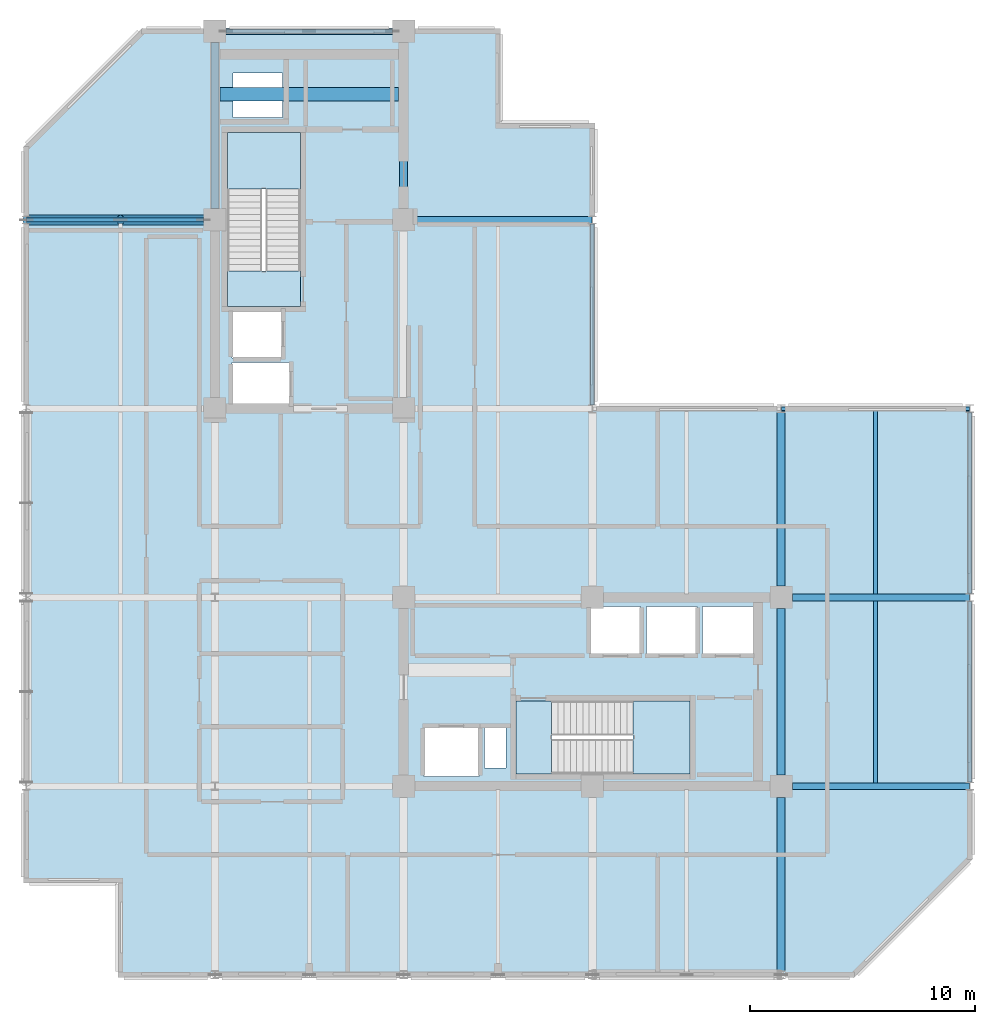
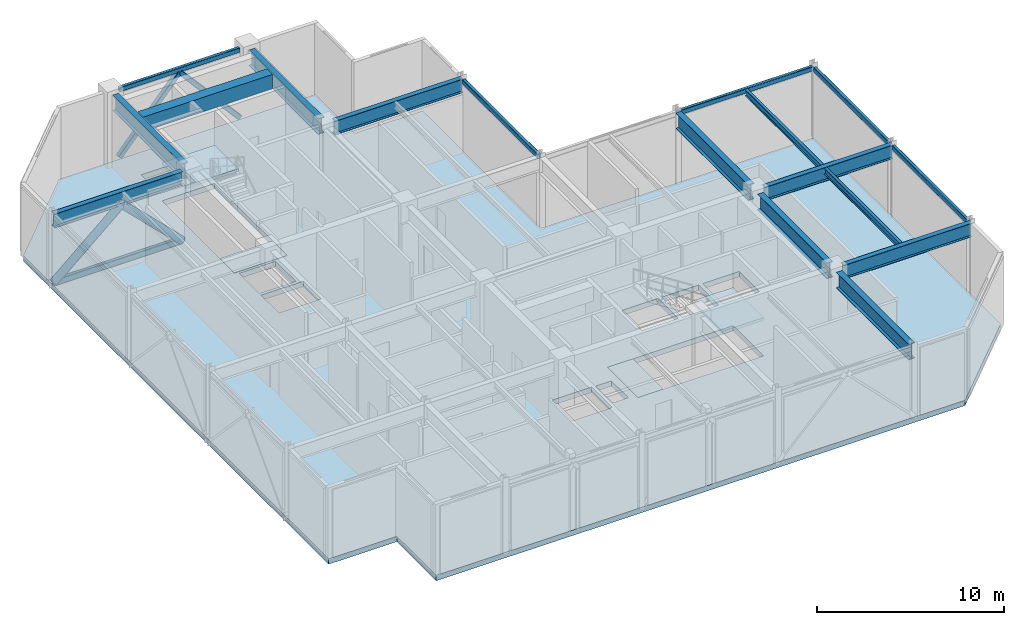
# One storey, part 2 of 10: 17 beams, 5 members, 5 slabs, 2 elements without a shape of their own.
"""IFC4 building model written with IfcOpenShell, lengths in metres."""

from ifc_helpers import new_model, si_unit, direction, frame, origin, origin_2d, place, context, subcontext, project, spatial, polyline, rectangle, hollow_rectangle, hollow_circle, i_section, outline, extrude, material, layer, layer_set, material_profile, profile_set, type_object, element, aggregate, save


model = new_model("IFC4")

# Units and contexts
model_context = context("Model", 3, precision=1e-05, world=origin(), true_north=direction((0.0, 1.0)))
body_context = subcontext(model_context, "Body", "Model", "MODEL_VIEW")
ifc_project = project(units=[si_unit("LENGTHUNIT", "METRE"), si_unit("AREAUNIT", "SQUARE_METRE"), si_unit("VOLUMEUNIT", "CUBIC_METRE"), si_unit("PLANEANGLEUNIT", "RADIAN"), si_unit("MASSUNIT", "GRAM", prefix="KILO")], contexts=[model_context])

# Site, building, storey
site_placement = place(None, origin())
site = spatial("IfcSite", under=ifc_project, at=site_placement, CompositionType="ELEMENT")
building_placement = place(site_placement, origin())
building = spatial("IfcBuilding", under=site, at=building_placement, Name="Nerrivon Quay Data Exchange", CompositionType="ELEMENT")
storey_placement = place(building_placement, frame((0.0, 0.0, 245.199951171875)))
storey = spatial("IfcBuildingStorey", under=building, at=storey_placement, Name="L58", CompositionType="ELEMENT", Elevation=245.199951171875)

# Beams
ifc_material_1 = material(Name="Concrete N50 (50 MPa)", Category="concrete")
ifc_material_profile_1 = material_profile(ifc_material_1, rectangle(XDim=0.60009765625, YDim=0.949951171875, at=origin_2d()), Name="RC-CB-600x950")
ifc_profile_set_1 = profile_set([ifc_material_profile_1], Name="Concrete N50 (50 MPa)")
beam_type_1 = type_object("IfcBeamType", Name="BM-CB2-600x950", PredefinedType="LINTEL", material=ifc_profile_set_1)
beam_1_placement = place(storey_placement, frame((8.625, 39.199951171875, 4.25), z_axis=(1.0, 0.0, 0.0), x_axis=(0.0, 1.0, 0.0)))
element("IfcBeam", 1, at=beam_1_placement, inside=storey, type_object=beam_type_1, Name="L58 West Core Coupling Beam", PredefinedType="LINTEL", context=body_context, shape_type="SweptSolid", body=[
    extrude(rectangle(XDim=0.60009765625, YDim=0.949951171875, at=origin_2d()), origin(), (0.0, 0.0, 1.0), 7.949951171875),
])
ifc_material_2 = material(Name="Steel Grade 350", Category="steel")
ifc_material_profile_2 = material_profile(ifc_material_2, i_section(OverallWidth=0.177978515625, OverallDepth=0.403076171875, WebThickness=0.007568359375, FlangeThickness=0.010986328125, FilletRadius=0.011474609375, at=origin_2d()), Name="410UB53.7")
ifc_profile_set_2 = profile_set([ifc_material_profile_2], Name="Steel Grade 350")
beam_type_2 = type_object("IfcBeamType", Name="BM-J2-410UB54", PredefinedType="JOIST", material=ifc_profile_set_2)
beam_2_placement = place(storey_placement, frame((37.800048828125, 8.550048828125, 4.5234375), z_axis=(0.0, 1.0, 0.0), x_axis=(-1.0, 0.0, 0.0)))
element("IfcBeam", 2, at=beam_2_placement, inside=storey, type_object=beam_type_2, Name="L58 Secondary Joist X=37.8 (8.4..16.8)", PredefinedType="JOIST", context=body_context, shape_type="SweptSolid", body=[
    extrude(i_section(OverallWidth=0.177978515625, OverallDepth=0.403076171875, WebThickness=0.007568359375, FlangeThickness=0.010986328125, FilletRadius=0.011474609375, at=origin_2d()), origin(), (0.0, 0.0, 1.0), 8.099853515625),
])
beam_3_placement = place(storey_placement, frame((37.800048828125, 16.949951171875, 4.5234375), z_axis=(0.0, 1.0, 0.0), x_axis=(-1.0, 0.0, 0.0)))
element("IfcBeam", 3, at=beam_3_placement, inside=storey, type_object=beam_type_2, Name="L58 Secondary Joist X=37.8 (16.8..25.2)", PredefinedType="JOIST", context=body_context, shape_type="SweptSolid", body=[
    extrude(i_section(OverallWidth=0.177978515625, OverallDepth=0.403076171875, WebThickness=0.007568359375, FlangeThickness=0.010986328125, FilletRadius=0.011474609375, at=origin_2d()), origin(), (0.0, 0.0, 1.0), 8.150146484375),
])
ifc_material_profile_3 = material_profile(ifc_material_2, i_section(OverallWidth=0.300048828125, OverallDepth=0.89990234375, WebThickness=0.011962890625, FlangeThickness=0.02001953125, at=origin_2d()), Name="900WB175")
ifc_profile_set_3 = profile_set([ifc_material_profile_3], Name="Steel Grade 350")
beam_type_3 = type_object("IfcBeamType", Name="BM-OUT-900WB175", PredefinedType="BEAM", material=ifc_profile_set_3)
for number, where, z_axis, x_axis, name in (
    (4, (34.10009765625, 8.39990234375, 4.275146484375), (1.0, 0.0, 0.0), (0.0, 1.0, 0.0), "L58 EW Girder Y=8.4 (33.6..42.0)"),
    (5, (34.10009765625, 16.800048828125, 4.275146484375), (1.0, 0.0, 0.0), (0.0, 1.0, 0.0), "L58 EW Girder Y=16.8 (33.6..42.0)"),
    (6, (0.010009765625, 33.60009765625, 4.275146484375), (1.0, 0.0, 0.0), (0.0, 1.0, 0.0), "L58 EW Girder Y=33.6 (0.0..8.4)"),
    (7, (17.300048828125, 33.60009765625, 4.275146484375), (1.0, 0.0, 0.0), (0.0, 1.0, 0.0), "L58 EW Girder Y=33.6 (16.8..25.2)"),
):
    element("IfcBeam", number, at=place(storey_placement, frame(where, z_axis=z_axis, x_axis=x_axis)), inside=storey, type_object=beam_type_3, Name=name, PredefinedType="BEAM", context=body_context, shape_type="SweptSolid", body=[
        extrude(i_section(OverallWidth=0.300048828125, OverallDepth=0.89990234375, WebThickness=0.011962890625, FlangeThickness=0.02001953125, at=origin_2d()), origin(), (0.0, 0.0, 1.0), 7.889892578125),
    ])
ifc_material_3 = material(Name="Steel Grade C350L0 (350 MPa)", Category="steel")
ifc_material_profile_4 = material_profile(ifc_material_3, hollow_rectangle(XDim=0.199951171875, YDim=0.300048828125, WallThickness=0.012451171875, InnerFilletRadius=0.018798828125, OuterFilletRadius=0.03125, at=origin_2d()), Name="300x200x12.5RHS")
ifc_profile_set_4 = profile_set([ifc_material_profile_4], Name="Steel Grade C350L0 (350 MPa)")
beam_type_4 = type_object("IfcBeamType", Name="BM-SP3-300x200RHS", PredefinedType="SPANDREL", material=ifc_profile_set_4)
beam_4_placement = place(storey_placement, frame((33.610107421875, 25.199951171875, 4.574951171875), z_axis=(1.0, 0.0, 0.0), x_axis=(0.0, 1.0, 0.0)))
element("IfcBeam", 8, at=beam_4_placement, inside=storey, type_object=beam_type_4, Name="L58 EW Girder Y=25.2 (33.6..42.0)", PredefinedType="SPANDREL", context=body_context, shape_type="SweptSolid", body=[
    extrude(hollow_rectangle(XDim=0.199951171875, YDim=0.300048828125, WallThickness=0.012451171875, InnerFilletRadius=0.018798828125, OuterFilletRadius=0.03125, at=origin_2d()), origin(), (0.0, 0.0, 1.0), 8.3798828125),
])
beam_5_placement = place(storey_placement, frame((8.89990234375, 42.0, 4.574951171875), z_axis=(1.0, 0.0, 0.0), x_axis=(0.0, 1.0, 0.0)))
element("IfcBeam", 9, at=beam_5_placement, inside=storey, type_object=beam_type_4, Name="L58 EW Girder Y=42.0 (8.4..16.8)", PredefinedType="SPANDREL", context=body_context, shape_type="SweptSolid", body=[
    extrude(hollow_rectangle(XDim=0.199951171875, YDim=0.300048828125, WallThickness=0.012451171875, InnerFilletRadius=0.018798828125, OuterFilletRadius=0.03125, at=origin_2d()), origin(), (0.0, 0.0, 1.0), 7.400146484375),
])
for number, where, z_axis, x_axis, name in (
    (10, (25.199951171875, 25.375, 4.574951171875), (0.0, 1.0, 0.0), (-1.0, 0.0, 0.0), "L58 NS Girder X=25.2 (25.2..33.6)"),
    (11, (42.0, 8.574951171875, 4.574951171875), (0.0, 1.0, 0.0), (-1.0, 0.0, 0.0), "L58 NS Girder X=42.0 (8.4..16.8)"),
):
    element("IfcBeam", number, at=place(storey_placement, frame(where, z_axis=z_axis, x_axis=x_axis)), inside=storey, type_object=beam_type_4, Name=name, PredefinedType="SPANDREL", context=body_context, shape_type="SweptSolid", body=[
        extrude(hollow_rectangle(XDim=0.199951171875, YDim=0.300048828125, WallThickness=0.012451171875, InnerFilletRadius=0.018798828125, OuterFilletRadius=0.03125, at=origin_2d()), origin(), (0.0, 0.0, 1.0), 8.050048828125),
    ])
beam_6_placement = place(storey_placement, frame((42.0, 16.97509765625, 4.574951171875), z_axis=(0.0, 1.0, 0.0), x_axis=(-1.0, 0.0, 0.0)))
element("IfcBeam", 12, at=beam_6_placement, inside=storey, type_object=beam_type_4, Name="L58 NS Girder X=42.0 (16.8..25.2)", PredefinedType="SPANDREL", context=body_context, shape_type="SweptSolid", body=[
    extrude(hollow_rectangle(XDim=0.199951171875, YDim=0.300048828125, WallThickness=0.012451171875, InnerFilletRadius=0.018798828125, OuterFilletRadius=0.03125, at=origin_2d()), origin(), (0.0, 0.0, 1.0), 8.0498046875),
])
ifc_material_profile_5 = material_profile(ifc_material_2, i_section(OverallWidth=0.35009765625, OverallDepth=1.01611328125, WebThickness=0.01611328125, FlangeThickness=0.028076171875, at=origin_2d()), Name="1000WB258")
ifc_profile_set_5 = profile_set([ifc_material_profile_5], Name="Steel Grade 350")
beam_type_5 = type_object("IfcBeamType", Name="BM-TG3-1000WB", PredefinedType="USERDEFINED", material=ifc_profile_set_5)
for number, where, z_axis, x_axis, name in (
    (13, (8.39990234375, 34.10009765625, 4.217041015625), (0.0, 1.0, 0.0), (-1.0, 0.0, 0.0), "L58 NS Girder X=8.4 (33.6..42.0)"),
    (14, (16.800048828125, 34.10009765625, 4.217041015625), (0.0, 1.0, 0.0), (-1.0, 0.0, 0.0), "L58 NS Girder X=16.8 (33.6..42.0)"),
):
    element("IfcBeam", number, at=place(storey_placement, frame(where, z_axis=z_axis, x_axis=x_axis)), inside=storey, type_object=beam_type_5, Name=name, ObjectType="TRANSFER", PredefinedType="USERDEFINED", context=body_context, shape_type="SweptSolid", body=[
        extrude(i_section(OverallWidth=0.35009765625, OverallDepth=1.01611328125, WebThickness=0.01611328125, FlangeThickness=0.028076171875, at=origin_2d()), origin(), (0.0, 0.0, 1.0), 7.39990234375),
    ])
beam_7_placement = place(storey_placement, frame((33.60009765625, 0.175048828125, 4.217041015625), z_axis=(0.0, 1.0, 0.0), x_axis=(-1.0, 0.0, 0.0)))
element("IfcBeam", 15, at=beam_7_placement, inside=storey, type_object=beam_type_5, Name="L58 NS Girder X=33.6 (0.0..8.4)", ObjectType="TRANSFER", PredefinedType="USERDEFINED", context=body_context, shape_type="SweptSolid", body=[
    extrude(i_section(OverallWidth=0.35009765625, OverallDepth=1.01611328125, WebThickness=0.01611328125, FlangeThickness=0.028076171875, at=origin_2d()), origin(), (0.0, 0.0, 1.0), 7.724853515625),
])
beam_8_placement = place(storey_placement, frame((33.60009765625, 8.89990234375, 4.217041015625), z_axis=(0.0, 1.0, 0.0), x_axis=(-1.0, 0.0, 0.0)))
element("IfcBeam", 16, at=beam_8_placement, inside=storey, type_object=beam_type_5, Name="L58 NS Girder X=33.6 (8.4..16.8)", ObjectType="TRANSFER", PredefinedType="USERDEFINED", context=body_context, shape_type="SweptSolid", body=[
    extrude(i_section(OverallWidth=0.35009765625, OverallDepth=1.01611328125, WebThickness=0.01611328125, FlangeThickness=0.028076171875, at=origin_2d()), origin(), (0.0, 0.0, 1.0), 7.400146484375),
])
beam_9_placement = place(storey_placement, frame((33.60009765625, 17.300048828125, 4.217041015625), z_axis=(0.0, 1.0, 0.0), x_axis=(-1.0, 0.0, 0.0)))
element("IfcBeam", 17, at=beam_9_placement, inside=storey, type_object=beam_type_5, Name="L58 NS Girder X=33.6 (16.8..25.2)", ObjectType="TRANSFER", PredefinedType="USERDEFINED", context=body_context, shape_type="SweptSolid", body=[
    extrude(i_section(OverallWidth=0.35009765625, OverallDepth=1.01611328125, WebThickness=0.01611328125, FlangeThickness=0.028076171875, at=origin_2d()), origin(), (0.0, 0.0, 1.0), 7.724853515625),
])

# Members
ifc_material_profile_6 = material_profile(ifc_material_3, hollow_rectangle(XDim=0.300048828125, YDim=0.300048828125, WallThickness=0.01611328125, InnerFilletRadius=0.02392578125, OuterFilletRadius=0.0400390625, at=origin_2d()), Name="300x300x16.0SHS")
ifc_profile_set_6 = profile_set([ifc_material_profile_6], Name="Steel Grade C350L0 (350 MPa)")
member_type_1 = type_object("IfcMemberType", Name="MEM-BB2-300SHS", PredefinedType="BRACE", material=ifc_profile_set_6)
member_1_placement = place(storey_placement, frame((8.89990234375, 42.0, 0.179931640625), z_axis=(0.656187290104, 0.0, 0.754598065401), x_axis=(0.0, 1.0, 0.0)))
element("IfcMember", 18, at=member_1_placement, inside=storey, type_object=member_type_1, Name="L58 structural brace BB-L58-07A", PredefinedType="BRACE", context=body_context, shape_type="SweptSolid", body=[
    extrude(hollow_rectangle(XDim=0.300048828125, YDim=0.300048828125, WallThickness=0.01611328125, InnerFilletRadius=0.02392578125, OuterFilletRadius=0.0400390625, at=origin_2d()), origin(), (0.0, 0.0, 1.0), 5.638916015625),
])
member_2_placement = place(storey_placement, frame((16.300048828125, 42.0, 0.179931640625), z_axis=(-0.656162635779, 0.0, 0.754619503728), x_axis=(0.0, -1.0, 0.0)))
element("IfcMember", 19, at=member_2_placement, inside=storey, type_object=member_type_1, Name="L58 structural brace BB-L58-07B", PredefinedType="BRACE", context=body_context, shape_type="SweptSolid", body=[
    extrude(hollow_rectangle(XDim=0.300048828125, YDim=0.300048828125, WallThickness=0.01611328125, InnerFilletRadius=0.02392578125, OuterFilletRadius=0.0400390625, at=origin_2d()), origin(), (0.0, 0.0, 1.0), 5.638671875),
])
ifc_material_profile_7 = material_profile(ifc_material_3, hollow_rectangle(XDim=0.199951171875, YDim=0.39990234375, WallThickness=0.01611328125, InnerFilletRadius=0.02392578125, OuterFilletRadius=0.0400390625, at=origin_2d()), Name="400x200x16.0RHS")
ifc_profile_set_7 = profile_set([ifc_material_profile_7], Name="Steel Grade C350L0 (350 MPa)")
member_type_2 = type_object("IfcMemberType", Name="MEM-CH1-400RHS", PredefinedType="CHORD", material=ifc_profile_set_7)
member_3_placement = place(storey_placement, frame((0.010009765625, 33.60009765625, 0.179931640625), z_axis=(1.0, 0.0, 0.0), x_axis=(0.0, 1.0, 0.0)))
element("IfcMember", 20, at=member_3_placement, inside=storey, type_object=member_type_2, Name="L58 Outrigger Bottom Chord 1", PredefinedType="CHORD", context=body_context, shape_type="SweptSolid", body=[
    extrude(hollow_rectangle(XDim=0.199951171875, YDim=0.39990234375, WallThickness=0.01611328125, InnerFilletRadius=0.02392578125, OuterFilletRadius=0.0400390625, at=origin_2d()), origin(), (0.0, 0.0, 1.0), 7.889892578125),
])
ifc_material_profile_8 = material_profile(ifc_material_3, hollow_circle(Radius=0.228515625, WallThickness=0.01611328125, at=origin_2d()), Name="457.0x16.0CHS")
ifc_profile_set_8 = profile_set([ifc_material_profile_8], Name="Steel Grade C350L0 (350 MPa)")
member_type_3 = type_object("IfcMemberType", Name="MEM-OB3-457CHS", PredefinedType="BRACE", material=ifc_profile_set_8)
member_4_placement = place(storey_placement, frame((0.010009765625, 33.60009765625, 0.179931640625), z_axis=(0.75357137114, 0.0, 0.657366099367), x_axis=(0.0, 1.0, 0.0)))
element("IfcMember", 21, at=member_4_placement, inside=storey, type_object=member_type_3, Name="L58 structural brace OB-L58-01A", PredefinedType="BRACE", context=body_context, shape_type="SweptSolid", body=[
    extrude(hollow_circle(Radius=0.228515625, WallThickness=0.01611328125, at=origin_2d()), origin(), (0.0, 0.0, 1.0), 5.56005859375),
])
member_5_placement = place(storey_placement, frame((7.89990234375, 33.60009765625, 0.179931640625), z_axis=(-0.711412294835, 0.0, 0.702774890529), x_axis=(0.0, -1.0, 0.0)))
element("IfcMember", 22, at=member_5_placement, inside=storey, type_object=member_type_3, Name="L58 structural brace OB-L58-01B", PredefinedType="BRACE", context=body_context, shape_type="SweptSolid", body=[
    extrude(hollow_circle(Radius=0.228515625, WallThickness=0.01611328125, at=origin_2d()), origin(), (0.0, 0.0, 1.0), 5.200927734375),
])

# Stair, slab
stair_type = type_object("IfcStairType", Name="STAIR-DOG-50", PredefinedType="HALF_TURN_STAIR", material=ifc_material_1)
stair_1_placement = place(storey_placement, origin())
stair_1 = element("IfcStair", 23, at=stair_1_placement, inside=storey, type_object=stair_type, Name="L58 West Core Fire Stair ST01", PredefinedType="HALF_TURN_STAIR")
ifc_layer_1 = layer(ifc_material_1, 0.199951171875)
ifc_layer_set_1 = layer_set([ifc_layer_1], Name="Concrete N50 (50 MPa)")
slab_type_1 = type_object("IfcSlabType", Name="SLB-LAND-200", PredefinedType="LANDING", material=ifc_layer_set_1)
slab_1_placement = place(storey_placement, frame((0.0, 0.0, 2.300048828125)))
slab_1 = element("IfcSlab", 24, at=slab_1_placement, type_object=slab_type_1, Name="ST01 landing 1", PredefinedType="LANDING", context=body_context, shape_type="SweptSolid", body=[
    extrude(outline(polyline([(12.199951171875, 34.969970703125), (12.199951171875, 37.5), (8.949951171875, 37.5), (8.949951171875, 34.969970703125), (12.199951171875, 34.969970703125)])), origin(), (0.0, 0.0, 1.0), 0.199951171875),
])
aggregate(stair_1, [slab_1])

# Slab
slab_2_placement = place(storey_placement, frame((0.0, 0.0, -0.199951171875)))
element("IfcSlab", 25, at=slab_2_placement, inside=storey, type_object=slab_type_1, Name="L58 ST01 floor landing", PredefinedType="LANDING", context=body_context, shape_type="SweptSolid", body=[
    extrude(outline(polyline([(12.199951171875, 29.75), (12.199951171875, 31.330078125), (8.949951171875, 31.330078125), (8.949951171875, 29.75), (12.199951171875, 29.75)])), origin(), (0.0, 0.0, 1.0), 0.199951171875),
])

# Stair, slab
stair_2_placement = place(storey_placement, origin())
stair_2 = element("IfcStair", 26, at=stair_2_placement, inside=storey, type_object=stair_type, Name="L58 East Core Fire Stair ST02", PredefinedType="HALF_TURN_STAIR")
slab_3_placement = place(storey_placement, frame((0.0, 0.0, 2.300048828125)))
slab_3 = element("IfcSlab", 27, at=slab_3_placement, type_object=slab_type_1, Name="ST02 landing 1", PredefinedType="LANDING", context=body_context, shape_type="SweptSolid", body=[
    extrude(outline(polyline([(27.02001953125, 8.949951171875), (29.550048828125, 8.949951171875), (29.550048828125, 12.199951171875), (27.02001953125, 12.199951171875), (27.02001953125, 8.949951171875)])), origin(), (0.0, 0.0, 1.0), 0.199951171875),
])
aggregate(stair_2, [slab_3])

# Slabs
slab_4_placement = place(storey_placement, frame((0.0, 0.0, -0.199951171875)))
element("IfcSlab", 28, at=slab_4_placement, inside=storey, type_object=slab_type_1, Name="L58 ST02 floor landing", PredefinedType="LANDING", context=body_context, shape_type="SweptSolid", body=[
    extrude(outline(polyline([(21.800048828125, 8.949951171875), (23.3798828125, 8.949951171875), (23.3798828125, 12.199951171875), (21.800048828125, 12.199951171875), (21.800048828125, 8.949951171875)])), origin(), (0.0, 0.0, 1.0), 0.199951171875),
])
ifc_material_4 = material(Name="Concrete S65 (65 MPa)", Category="concrete")
ifc_layer_2 = layer(ifc_material_4, 0.35009765625)
ifc_layer_set_2 = layer_set([ifc_layer_2], Name="Concrete S65 (65 MPa)")
slab_type_2 = type_object("IfcSlabType", Name="SLB-TRANS-350", PredefinedType="FLOOR", material=ifc_layer_set_2)
slab_5_placement = place(storey_placement, frame((0.0, 0.0, -0.349853515625)))
element("IfcSlab", 29, at=slab_5_placement, inside=storey, type_object=slab_type_2, Name="L58 Primary Structural Slab", PredefinedType="FLOOR", context=body_context, shape_type="SweptSolid", body=[
    extrude(outline(polyline([(42.0, 25.199951171875), (25.199951171875, 25.199951171875), (25.199951171875, 37.800048828125), (21.0, 37.800048828125), (21.0, 42.0), (5.199951171875, 42.0), (0.0, 36.800048828125), (0.0, 4.199951171875), (4.199951171875, 4.199951171875), (4.199951171875, 0.0), (36.800048828125, 0.0), (42.0, 5.199951171875), (42.0, 25.199951171875)]), holes=[polyline([(8.949951171875, 29.75), (8.949951171875, 37.5), (12.199951171875, 37.5), (12.199951171875, 29.75), (8.949951171875, 29.75)]), polyline([(21.800048828125, 12.199951171875), (29.550048828125, 12.199951171875), (29.550048828125, 8.949951171875), (21.800048828125, 8.949951171875), (21.800048828125, 12.199951171875)]), polyline([(30.10009765625, 14.25), (30.10009765625, 16.39990234375), (32.35009765625, 16.39990234375), (32.35009765625, 14.25), (30.10009765625, 14.25)]), polyline([(27.60009765625, 14.25), (27.60009765625, 16.39990234375), (29.85009765625, 16.39990234375), (29.85009765625, 14.25), (27.60009765625, 14.25)]), polyline([(25.10009765625, 14.25), (25.10009765625, 16.39990234375), (27.35009765625, 16.39990234375), (27.35009765625, 14.25), (25.10009765625, 14.25)]), polyline([(20.39990234375, 9.199951171875), (20.39990234375, 11.0), (21.35009765625, 11.0), (21.35009765625, 9.199951171875), (20.39990234375, 9.199951171875)]), polyline([(17.699951171875, 8.830078125), (17.699951171875, 11.030029296875), (20.14990234375, 11.030029296875), (20.14990234375, 8.830078125), (17.699951171875, 8.830078125)]), polyline([(9.14990234375, 25.35009765625), (9.14990234375, 27.25), (11.75, 27.25), (11.75, 25.35009765625), (9.14990234375, 25.35009765625)]), polyline([(9.14990234375, 27.449951171875), (9.14990234375, 29.60009765625), (11.39990234375, 29.60009765625), (11.39990234375, 27.449951171875), (9.14990234375, 27.449951171875)]), polyline([(9.199951171875, 38.14990234375), (9.199951171875, 40.14990234375), (11.39990234375, 40.14990234375), (11.39990234375, 38.14990234375), (9.199951171875, 38.14990234375)])]), origin(), (0.0, 0.0, 1.0), 0.349853515625),
])

save(model, "model.ifc")
